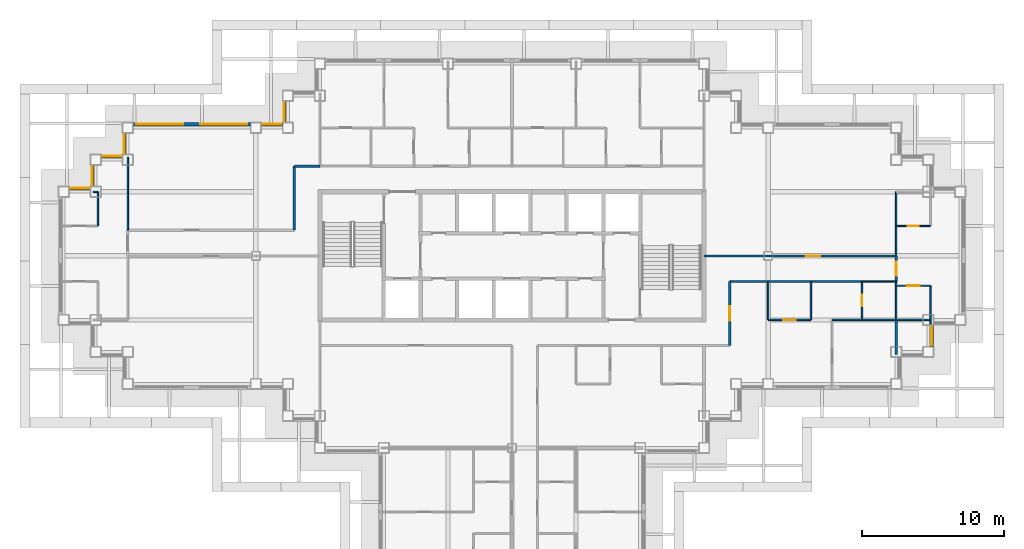
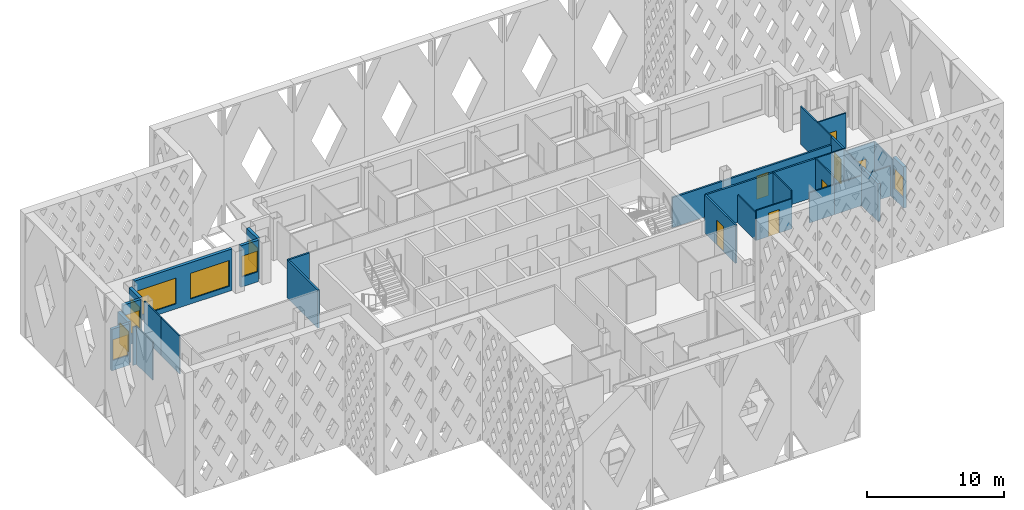
# One storey, part 7 of 18: 32 walls, 9 windows, 7 doors, 16 openings.
"""IFC4 building model written with IfcOpenShell, lengths in metres."""

from ifc_helpers import new_model, si_unit, direction, frame, frame_2d, origin, place, context, subcontext, project, spatial, rectangle, extrude, material, layer, layer_set, type_object, element, fill, save


model = new_model("IFC4")

# Units and contexts
model_context = context("Model", 3, precision=1e-05, world=origin(), true_north=direction((0.0, 1.0)))
body_context = subcontext(model_context, "Body", "Model", "MODEL_VIEW")
ifc_project = project(units=[si_unit("LENGTHUNIT", "METRE"), si_unit("AREAUNIT", "SQUARE_METRE"), si_unit("VOLUMEUNIT", "CUBIC_METRE"), si_unit("PLANEANGLEUNIT", "RADIAN"), si_unit("MASSUNIT", "GRAM", prefix="KILO")], contexts=[model_context])

# Site, building, storey
site_placement = place(None, origin())
site = spatial("IfcSite", under=ifc_project, at=site_placement, CompositionType="ELEMENT")
building_placement = place(site_placement, origin())
building = spatial("IfcBuilding", under=site, at=building_placement, Name="Caravel Reach Hotel and Residences", CompositionType="ELEMENT")
storey_placement = place(building_placement, frame((0.0, 0.0, 176.5)))
storey = spatial("IfcBuildingStorey", under=building, at=storey_placement, Name="L44", CompositionType="ELEMENT", Elevation=176.5)

# Walls
ifc_material_1 = material(Name="Gypsum board on steel stud", Category="steel")
ifc_layer_1 = layer(ifc_material_1, 0.10009765625)
ifc_layer_set_1 = layer_set([ifc_layer_1], Name="Bathroom pod wall 100 mm")
wall_type_1 = type_object("IfcWallType", Name="Bathroom pod wall 100 mm", PredefinedType="PARTITIONING", material=ifc_layer_set_1)
wall_1_placement = place(storey_placement, frame((56.10009765625, 22.5, 0.0), z_axis=(0.0, 0.0, 1.0), x_axis=(1.0, 0.0, 0.0)))
element("IfcWall", 1, at=wall_1_placement, inside=storey, type_object=wall_type_1, Name="L44 wall w094", PredefinedType="PARTITIONING", context=body_context, shape_type="SweptSolid", body=[
    extrude(rectangle(XDim=2.39990234375, YDim=0.10009765625, at=frame_2d((1.199951171875, 0.0))), origin(), (0.0, 0.0, 1.0), 2.679931640625),
])
wall_2_placement = place(storey_placement, frame((56.10009765625, 25.199951171875, 0.0), z_axis=(0.0, 0.0, 1.0), x_axis=(1.0, 0.0, 0.0)))
element("IfcWall", 2, at=wall_2_placement, inside=storey, type_object=wall_type_1, Name="L44 wall w095", PredefinedType="PARTITIONING", context=body_context, shape_type="SweptSolid", body=[
    extrude(rectangle(XDim=2.39990234375, YDim=0.10009765625, at=frame_2d((1.199951171875, 0.0))), origin(), (0.0, 0.0, 1.0), 3.39990234375),
])

# Wall, opening, door
wall_3_placement = place(storey_placement, frame((58.5, 29.10009765625, 0.0), z_axis=(0.0, 0.0, 1.0), x_axis=(1.0, 0.0, 0.0)))
wall_3 = element("IfcWall", 3, at=wall_3_placement, inside=storey, type_object=wall_type_1, Name="L44 wall w097", PredefinedType="PARTITIONING", context=body_context, shape_type="SweptSolid", body=[
    extrude(rectangle(XDim=2.39990234375, YDim=0.10009765625, at=frame_2d((1.199951171875, 0.0))), origin(), (0.0, 0.0, 1.0), 3.39990234375),
])
opening_1_placement = place(wall_3_placement, frame((0.800048828125, 0.0, 0.0)))
opening_1 = element("IfcOpeningElement", 4, at=opening_1_placement, cuts=wall_3, Name="Opening D44-052", PredefinedType="OPENING", context=body_context, shape_type="SweptSolid", body=[
    extrude(rectangle(XDim=0.800048828125, YDim=2.10009765625, at=frame_2d((0.39990234375, 1.050048828125))), frame((0.0, 0.06005859375, 0.0), z_axis=(0.0, -1.0, 0.0), x_axis=(1.0, 0.0, 0.0)), (0.0, 0.0, 1.0), 0.1201171875),
])
ifc_material_2 = material(Name="Timber and steel door leaf", Category="steel")
door_type_1 = type_object("IfcDoorType", Name="Bathroom door 800 x 2100", OperationType="SINGLE_SWING_LEFT", PredefinedType="DOOR", material=ifc_material_2)
door_1_placement = place(opening_1_placement, origin())
door_1 = element("IfcDoor", 5, at=door_1_placement, inside=storey, type_object=door_type_1, Name="door D44-052", OperationType="SINGLE_SWING_RIGHT", OverallHeight=2.10009765625, OverallWidth=0.800048828125, PredefinedType="DOOR", context=body_context, shape_type="SweptSolid", body=[
    extrude(rectangle(XDim=0.800048828125, YDim=2.10009765625, at=frame_2d((0.39990234375, 1.050048828125))), frame((0.0, 0.02490234375, 0.0), z_axis=(0.0, -1.0, 0.0), x_axis=(1.0, 0.0, 0.0)), (0.0, 0.0, 1.0), 0.050048828125),
])
fill(opening_1, door_1)

wall_4_placement = place(storey_placement, frame((56.10009765625, 22.5, 0.0), z_axis=(0.0, 0.0, 1.0), x_axis=(0.0, 1.0, 0.0)))
wall_4 = element("IfcWall", 6, at=wall_4_placement, inside=storey, type_object=wall_type_1, Name="L44 wall w122", PredefinedType="PARTITIONING", context=body_context, shape_type="SweptSolid", body=[
    extrude(rectangle(XDim=2.699951171875, YDim=0.10009765625, at=frame_2d((1.35009765625, 0.0))), origin(), (0.0, 0.0, 1.0), 3.39990234375),
])
opening_2_placement = place(wall_4_placement, frame((0.949951171875, 0.0, 0.0)))
opening_2 = element("IfcOpeningElement", 7, at=opening_2_placement, cuts=wall_4, Name="Opening D44-034", PredefinedType="OPENING", context=body_context, shape_type="SweptSolid", body=[
    extrude(rectangle(XDim=0.800048828125, YDim=2.10009765625, at=frame_2d((0.39990234375, 1.050048828125))), frame((0.0, 0.06005859375, 0.0), z_axis=(0.0, -1.0, 0.0), x_axis=(1.0, 0.0, 0.0)), (0.0, 0.0, 1.0), 0.1201171875),
])
door_2_placement = place(opening_2_placement, origin())
door_2 = element("IfcDoor", 8, at=door_2_placement, inside=storey, type_object=door_type_1, Name="door D44-034", OperationType="SINGLE_SWING_LEFT", OverallHeight=2.10009765625, OverallWidth=0.800048828125, PredefinedType="DOOR", context=body_context, shape_type="SweptSolid", body=[
    extrude(rectangle(XDim=0.800048828125, YDim=2.10009765625, at=frame_2d((0.39990234375, 1.050048828125))), frame((0.0, 0.02490234375, 0.0), z_axis=(0.0, -1.0, 0.0), x_axis=(1.0, 0.0, 0.0)), (0.0, 0.0, 1.0), 0.050048828125),
])
fill(opening_2, door_2)

# Walls
wall_5_placement = place(storey_placement, frame((58.5, 22.5, 0.0), z_axis=(0.0, 0.0, 1.0), x_axis=(0.0, 1.0, 0.0)))
element("IfcWall", 9, at=wall_5_placement, inside=storey, type_object=wall_type_1, Name="L44 wall w123", PredefinedType="PARTITIONING", context=body_context, shape_type="SweptSolid", body=[
    extrude(rectangle(XDim=2.699951171875, YDim=0.10009765625, at=frame_2d((1.35009765625, 0.0))), origin(), (0.0, 0.0, 1.0), 3.39990234375),
])
ifc_material_3 = material(Name="Gypsum board on steel stud, fire-rated", Category="steel")
ifc_layer_2 = layer(ifc_material_3, 0.14990234375)
ifc_layer_set_2 = layer_set([ifc_layer_2], Name="Corridor wall 150 mm EI 60")
wall_type_2 = type_object("IfcWallType", Name="Corridor wall 150 mm EI 60", PredefinedType="PARTITIONING", material=ifc_layer_set_2)
wall_6_placement = place(storey_placement, frame((46.801025390625, 25.199951171875, 0.0), z_axis=(0.0, 0.0, 1.0), x_axis=(1.0, 0.0, 0.0)))
element("IfcWall", 10, at=wall_6_placement, inside=storey, type_object=wall_type_2, Name="L44 wall w006", PredefinedType="PARTITIONING", context=body_context, shape_type="SweptSolid", body=[
    extrude(rectangle(XDim=9.299072265625, YDim=0.14990234375, at=frame_2d((4.6494140625, 0.0))), origin(), (0.0, 0.0, 1.0), 3.39990234375),
])

# Wall, opening, door
wall_7_placement = place(storey_placement, frame((45.0, 27.0, 0.0), z_axis=(0.0, 0.0, 1.0), x_axis=(1.0, 0.0, 0.0)))
wall_7 = element("IfcWall", 11, at=wall_7_placement, inside=storey, type_object=wall_type_2, Name="L44 wall w010", PredefinedType="PARTITIONING", context=body_context, shape_type="SweptSolid", body=[
    extrude(rectangle(XDim=13.5, YDim=0.14990234375, at=frame_2d((6.75, 0.0))), origin(), (0.0, 0.0, 1.0), 2.679931640625),
])
opening_3_placement = place(wall_7_placement, frame((7.14990234375, 0.0, 0.0)))
opening_3 = element("IfcOpeningElement", 12, at=opening_3_placement, cuts=wall_7, Name="Opening D44-031", PredefinedType="OPENING", context=body_context, shape_type="SweptSolid", body=[
    extrude(rectangle(XDim=1.0, YDim=2.10009765625, at=frame_2d((0.5, 1.050048828125))), frame((0.0, 0.0849609375, 0.0), z_axis=(0.0, -1.0, 0.0), x_axis=(1.0, 0.0, 0.0)), (0.0, 0.0, 1.0), 0.169921875),
])
ifc_material_4 = material(Name="Steel fire door leaf", Category="steel")
door_type_2 = type_object("IfcDoorType", Name="Fire door 1000 x 2100 EI 60", OperationType="SINGLE_SWING_LEFT", PredefinedType="DOOR", material=ifc_material_4)
door_3_placement = place(opening_3_placement, origin())
door_3 = element("IfcDoor", 13, at=door_3_placement, inside=storey, type_object=door_type_2, Name="door D44-031", OperationType="SINGLE_SWING_RIGHT", OverallHeight=2.10009765625, OverallWidth=1.0, PredefinedType="DOOR", context=body_context, shape_type="SweptSolid", body=[
    extrude(rectangle(XDim=1.0, YDim=2.10009765625, at=frame_2d((0.5, 1.050048828125))), frame((0.0, 0.02490234375, 0.0), z_axis=(0.0, -1.0, 0.0), x_axis=(1.0, 0.0, 0.0)), (0.0, 0.0, 1.0), 0.050048828125),
])
fill(opening_3, door_3)

# Walls
wall_8_placement = place(storey_placement, frame((16.199951171875, 33.300048828125, 0.0), z_axis=(0.0, 0.0, 1.0), x_axis=(1.0, 0.0, 0.0)))
element("IfcWall", 14, at=wall_8_placement, inside=storey, type_object=wall_type_2, Name="L44 wall w017", PredefinedType="PARTITIONING", context=body_context, shape_type="SweptSolid", body=[
    extrude(rectangle(XDim=1.799072265625, YDim=0.14990234375, at=frame_2d((0.8994140625, 0.0))), origin(), (0.0, 0.0, 1.0), 3.39990234375),
])
wall_9_placement = place(storey_placement, frame((16.199951171875, 28.801025390625, 0.0), z_axis=(0.0, 0.0, 1.0), x_axis=(0.0, 1.0, 0.0)))
element("IfcWall", 15, at=wall_9_placement, inside=storey, type_object=wall_type_2, Name="L44 wall w019", PredefinedType="PARTITIONING", context=body_context, shape_type="SweptSolid", body=[
    extrude(rectangle(XDim=4.4990234375, YDim=0.14990234375, at=frame_2d((2.24951171875, 0.0))), origin(), (0.0, 0.0, 1.0), 3.39990234375),
])

# Wall, opening, door
wall_10_placement = place(storey_placement, frame((46.800048828125, 20.699951171875, 0.0), z_axis=(0.0, 0.0, 1.0), x_axis=(0.0, 1.0, 0.0)))
wall_10 = element("IfcWall", 16, at=wall_10_placement, inside=storey, type_object=wall_type_2, Name="L44 wall w029", PredefinedType="PARTITIONING", context=body_context, shape_type="SweptSolid", body=[
    extrude(rectangle(XDim=4.4990234375, YDim=0.14990234375, at=frame_2d((2.24951171875, 0.0))), origin(), (0.0, 0.0, 1.0), 3.39990234375),
])
opening_4_placement = place(wall_10_placement, frame((1.74951171875, 0.0, 0.0)))
opening_4 = element("IfcOpeningElement", 17, at=opening_4_placement, cuts=wall_10, Name="Opening D44-032", PredefinedType="OPENING", context=body_context, shape_type="SweptSolid", body=[
    extrude(rectangle(XDim=1.0, YDim=2.199951171875, at=frame_2d((0.5, 1.10009765625))), frame((0.0, 0.0849609375, 0.0), z_axis=(0.0, -1.0, 0.0), x_axis=(1.0, 0.0, 0.0)), (0.0, 0.0, 1.0), 0.169921875),
])
ifc_material_5 = material(Name="Steel fire door leaf", Category="steel")
door_type_3 = type_object("IfcDoorType", Name="Flat entrance door 1000 x 2200 EI 60", OperationType="SINGLE_SWING_LEFT", PredefinedType="DOOR", material=ifc_material_5)
door_4_placement = place(opening_4_placement, origin())
door_4 = element("IfcDoor", 18, at=door_4_placement, inside=storey, type_object=door_type_3, Name="door D44-032", OperationType="SINGLE_SWING_LEFT", OverallHeight=2.199951171875, OverallWidth=1.0, PredefinedType="DOOR", context=body_context, shape_type="SweptSolid", body=[
    extrude(rectangle(XDim=1.0, YDim=2.199951171875, at=frame_2d((0.5, 1.10009765625))), frame((0.0, 0.02490234375, 0.0), z_axis=(0.0, -1.0, 0.0), x_axis=(1.0, 0.0, 0.0)), (0.0, 0.0, 1.0), 0.050048828125),
])
fill(opening_4, door_4)

wall_11_placement = place(storey_placement, frame((58.5, 25.199951171875, 0.0), z_axis=(0.0, 0.0, 1.0), x_axis=(0.0, 1.0, 0.0)))
wall_11 = element("IfcWall", 19, at=wall_11_placement, inside=storey, type_object=wall_type_2, Name="L44 wall w030", PredefinedType="PARTITIONING", context=body_context, shape_type="SweptSolid", body=[
    extrude(rectangle(XDim=1.800048828125, YDim=0.14990234375, at=frame_2d((0.89990234375, 0.0))), origin(), (0.0, 0.0, 1.0), 3.39990234375),
])
opening_5_placement = place(wall_11_placement, frame((0.39990234375, 0.0, 0.0)))
opening_5 = element("IfcOpeningElement", 20, at=opening_5_placement, cuts=wall_11, Name="Opening D44-051", PredefinedType="OPENING", context=body_context, shape_type="SweptSolid", body=[
    extrude(rectangle(XDim=1.0, YDim=2.199951171875, at=frame_2d((0.5, 1.10009765625))), frame((0.0, 0.0849609375, 0.0), z_axis=(0.0, -1.0, 0.0), x_axis=(1.0, 0.0, 0.0)), (0.0, 0.0, 1.0), 0.169921875),
])
door_5_placement = place(opening_5_placement, origin())
door_5 = element("IfcDoor", 21, at=door_5_placement, inside=storey, type_object=door_type_3, Name="door D44-051", OperationType="SINGLE_SWING_RIGHT", OverallHeight=2.199951171875, OverallWidth=1.0, PredefinedType="DOOR", context=body_context, shape_type="SweptSolid", body=[
    extrude(rectangle(XDim=1.0, YDim=2.199951171875, at=frame_2d((0.5, 1.10009765625))), frame((0.0, 0.02490234375, 0.0), z_axis=(0.0, -1.0, 0.0), x_axis=(1.0, 0.0, 0.0)), (0.0, 0.0, 1.0), 0.050048828125),
])
fill(opening_5, door_5)

# Wall, opening, window
ifc_material_6 = material(Name="Insulated rainscreen wall, aluminium cladding", Category="aluminium")
ifc_layer_3 = layer(ifc_material_6, 0.25)
ifc_layer_set_3 = layer_set([ifc_layer_3], Name="EW1 Tower rainscreen wall")
wall_type_3 = type_object("IfcWallType", Name="EW1 Tower rainscreen wall", PredefinedType="SOLIDWALL", material=ifc_layer_set_3)
wall_12_placement = place(storey_placement, frame((61.0, 20.625, 0.0), z_axis=(0.0, 0.0, 1.0), x_axis=(0.0, 1.0, 0.0)))
wall_12 = element("IfcWall", 22, at=wall_12_placement, inside=storey, type_object=wall_type_3, Name="External wall L44 E18.1", PredefinedType="SOLIDWALL", context=body_context, shape_type="SweptSolid", body=[
    extrude(rectangle(XDim=1.5, YDim=0.25, at=frame_2d((0.75, 0.0))), origin(), (0.0, 0.0, 1.0), 3.699951171875),
])
opening_6_placement = place(wall_12_placement, frame((0.10009765625, 0.0, 0.89990234375)))
opening_6 = element("IfcOpeningElement", 23, at=opening_6_placement, cuts=wall_12, Name="Opening WN16", PredefinedType="OPENING", context=body_context, shape_type="SweptSolid", body=[
    extrude(rectangle(XDim=1.300048828125, YDim=1.85009765625, at=frame_2d((0.64990234375, 0.925048828125))), frame((0.0, 0.135009765625, 0.0), z_axis=(0.0, -1.0, 0.0), x_axis=(1.0, 0.0, 0.0)), (0.0, 0.0, 1.0), 0.27001953125),
])
ifc_material_7 = material(Name="Dark low-e glazing in black aluminium frame", Category="aluminium")
window_type_1 = type_object("IfcWindowType", Name="Residence bedroom window 1300 x 1850", PartitioningType="SINGLE_PANEL", PredefinedType="WINDOW", material=ifc_material_7)
window_1_placement = place(opening_6_placement, origin())
window_1 = element("IfcWindow", 24, at=window_1_placement, inside=storey, type_object=window_type_1, Name="Window L44 E18.1.1", OverallHeight=1.85009765625, OverallWidth=1.300048828125, PartitioningType="SINGLE_PANEL", PredefinedType="WINDOW", context=body_context, shape_type="SweptSolid", body=[
    extrude(rectangle(XDim=1.300048828125, YDim=1.85009765625, at=frame_2d((0.64990234375, 0.925048828125))), frame((0.0, 0.030029296875, 0.0), z_axis=(0.0, -1.0, 0.0), x_axis=(1.0, 0.0, 0.0)), (0.0, 0.0, 1.0), 0.06005859375),
])
fill(opening_6, window_1)

wall_13_placement = place(storey_placement, frame((15.5, 37.875, 0.0), z_axis=(0.0, 0.0, 1.0), x_axis=(0.0, -1.0, 0.0)))
wall_13 = element("IfcWall", 25, at=wall_13_placement, inside=storey, type_object=wall_type_3, Name="External wall L44 W32.1", PredefinedType="SOLIDWALL", context=body_context, shape_type="SweptSolid", body=[
    extrude(rectangle(XDim=1.5, YDim=0.25, at=frame_2d((0.75, 0.0))), origin(), (0.0, 0.0, 1.0), 3.699951171875),
])
opening_7_placement = place(wall_13_placement, frame((0.10009765625, 0.0, 0.89990234375)))
opening_7 = element("IfcOpeningElement", 26, at=opening_7_placement, cuts=wall_13, Name="Opening WN16", PredefinedType="OPENING", context=body_context, shape_type="SweptSolid", body=[
    extrude(rectangle(XDim=1.300048828125, YDim=1.85009765625, at=frame_2d((0.64990234375, 0.925048828125))), frame((0.0, 0.135009765625, 0.0), z_axis=(0.0, -1.0, 0.0), x_axis=(1.0, 0.0, 0.0)), (0.0, 0.0, 1.0), 0.27001953125),
])
window_2_placement = place(opening_7_placement, origin())
window_2 = element("IfcWindow", 27, at=window_2_placement, inside=storey, type_object=window_type_1, Name="Window L44 W32.1.1", OverallHeight=1.85009765625, OverallWidth=1.300048828125, PartitioningType="SINGLE_PANEL", PredefinedType="WINDOW", context=body_context, shape_type="SweptSolid", body=[
    extrude(rectangle(XDim=1.300048828125, YDim=1.85009765625, at=frame_2d((0.64990234375, 0.925048828125))), frame((0.0, 0.030029296875, 0.0), z_axis=(0.0, -1.0, 0.0), x_axis=(1.0, 0.0, 0.0)), (0.0, 0.0, 1.0), 0.06005859375),
])
fill(opening_7, window_2)

wall_14_placement = place(storey_placement, frame((15.375, 36.25, 0.0), z_axis=(0.0, 0.0, 1.0), x_axis=(-1.0, 0.0, 0.0)))
wall_14 = element("IfcWall", 28, at=wall_14_placement, inside=storey, type_object=wall_type_3, Name="External wall L44 N33.1", PredefinedType="SOLIDWALL", context=body_context, shape_type="SweptSolid", body=[
    extrude(rectangle(XDim=1.5, YDim=0.25, at=frame_2d((0.75, 0.0))), origin(), (0.0, 0.0, 1.0), 3.699951171875),
])
opening_8_placement = place(wall_14_placement, frame((0.10009765625, 0.0, 0.89990234375)))
opening_8 = element("IfcOpeningElement", 29, at=opening_8_placement, cuts=wall_14, Name="Opening WN16", PredefinedType="OPENING", context=body_context, shape_type="SweptSolid", body=[
    extrude(rectangle(XDim=1.300048828125, YDim=1.85009765625, at=frame_2d((0.64990234375, 0.925048828125))), frame((0.0, 0.135009765625, 0.0), z_axis=(0.0, -1.0, 0.0), x_axis=(1.0, 0.0, 0.0)), (0.0, 0.0, 1.0), 0.27001953125),
])
window_3_placement = place(opening_8_placement, origin())
window_3 = element("IfcWindow", 30, at=window_3_placement, inside=storey, type_object=window_type_1, Name="Window L44 N33.1.1", OverallHeight=1.85009765625, OverallWidth=1.300048828125, PartitioningType="SINGLE_PANEL", PredefinedType="WINDOW", context=body_context, shape_type="SweptSolid", body=[
    extrude(rectangle(XDim=1.300048828125, YDim=1.85009765625, at=frame_2d((0.64990234375, 0.925048828125))), frame((0.0, 0.030029296875, 0.0), z_axis=(0.0, -1.0, 0.0), x_axis=(1.0, 0.0, 0.0)), (0.0, 0.0, 1.0), 0.06005859375),
])
fill(opening_8, window_3)

# Wall, openings, windows
wall_15_placement = place(storey_placement, frame((13.125, 36.25, 0.0), z_axis=(0.0, 0.0, 1.0), x_axis=(-1.0, 0.0, 0.0)))
wall_15 = element("IfcWall", 31, at=wall_15_placement, inside=storey, type_object=wall_type_3, Name="External wall L44 N33.2", PredefinedType="SOLIDWALL", context=body_context, shape_type="SweptSolid", body=[
    extrude(rectangle(XDim=8.25, YDim=0.25, at=frame_2d((4.125, 0.0))), origin(), (0.0, 0.0, 1.0), 3.699951171875),
])
opening_9_placement = place(wall_15_placement, frame((0.22509765625, 0.0, 0.449951171875)))
opening_9 = element("IfcOpeningElement", 32, at=opening_9_placement, cuts=wall_15, Name="Opening WN15", PredefinedType="OPENING", context=body_context, shape_type="SweptSolid", body=[
    extrude(rectangle(XDim=3.300048828125, YDim=2.300048828125, at=frame_2d((1.64990234375, 1.14990234375))), frame((0.0, 0.135009765625, 0.0), z_axis=(0.0, -1.0, 0.0), x_axis=(1.0, 0.0, 0.0)), (0.0, 0.0, 1.0), 0.27001953125),
])
opening_10_placement = place(wall_15_placement, frame((4.72509765625, 0.0, 0.449951171875)))
opening_10 = element("IfcOpeningElement", 33, at=opening_10_placement, cuts=wall_15, Name="Opening WN15", PredefinedType="OPENING", context=body_context, shape_type="SweptSolid", body=[
    extrude(rectangle(XDim=3.300048828125, YDim=2.300048828125, at=frame_2d((1.64990234375, 1.14990234375))), frame((0.0, 0.135009765625, 0.0), z_axis=(0.0, -1.0, 0.0), x_axis=(1.0, 0.0, 0.0)), (0.0, 0.0, 1.0), 0.27001953125),
])
ifc_material_8 = material(Name="Dark low-e glazing in black aluminium frame", Category="aluminium")
window_type_2 = type_object("IfcWindowType", Name="Residence living window 3300 x 2300", PartitioningType="SINGLE_PANEL", PredefinedType="WINDOW", material=ifc_material_8)
window_4_placement = place(opening_9_placement, origin())
window_4 = element("IfcWindow", 34, at=window_4_placement, inside=storey, type_object=window_type_2, Name="Window L44 N33.2.1", OverallHeight=2.300048828125, OverallWidth=3.300048828125, PartitioningType="SINGLE_PANEL", PredefinedType="WINDOW", context=body_context, shape_type="SweptSolid", body=[
    extrude(rectangle(XDim=3.300048828125, YDim=2.300048828125, at=frame_2d((1.64990234375, 1.14990234375))), frame((0.0, 0.030029296875, 0.0), z_axis=(0.0, -1.0, 0.0), x_axis=(1.0, 0.0, 0.0)), (0.0, 0.0, 1.0), 0.06005859375),
])
fill(opening_9, window_4)
window_5_placement = place(opening_10_placement, origin())
window_5 = element("IfcWindow", 35, at=window_5_placement, inside=storey, type_object=window_type_2, Name="Window L44 N33.2.2", OverallHeight=2.300048828125, OverallWidth=3.300048828125, PartitioningType="SINGLE_PANEL", PredefinedType="WINDOW", context=body_context, shape_type="SweptSolid", body=[
    extrude(rectangle(XDim=3.300048828125, YDim=2.300048828125, at=frame_2d((1.64990234375, 1.14990234375))), frame((0.0, 0.030029296875, 0.0), z_axis=(0.0, -1.0, 0.0), x_axis=(1.0, 0.0, 0.0)), (0.0, 0.0, 1.0), 0.06005859375),
])
fill(opening_10, window_5)

# Wall, opening, window
wall_16_placement = place(storey_placement, frame((4.25, 35.625, 0.0), z_axis=(0.0, 0.0, 1.0), x_axis=(0.0, -1.0, 0.0)))
wall_16 = element("IfcWall", 36, at=wall_16_placement, inside=storey, type_object=wall_type_3, Name="External wall L44 W34.1", PredefinedType="SOLIDWALL", context=body_context, shape_type="SweptSolid", body=[
    extrude(rectangle(XDim=1.5, YDim=0.25, at=frame_2d((0.75, 0.0))), origin(), (0.0, 0.0, 1.0), 3.699951171875),
])
opening_11_placement = place(wall_16_placement, frame((0.10009765625, 0.0, 0.89990234375)))
opening_11 = element("IfcOpeningElement", 37, at=opening_11_placement, cuts=wall_16, Name="Opening WN16", PredefinedType="OPENING", context=body_context, shape_type="SweptSolid", body=[
    extrude(rectangle(XDim=1.300048828125, YDim=1.85009765625, at=frame_2d((0.64990234375, 0.925048828125))), frame((0.0, 0.135009765625, 0.0), z_axis=(0.0, -1.0, 0.0), x_axis=(1.0, 0.0, 0.0)), (0.0, 0.0, 1.0), 0.27001953125),
])
window_6_placement = place(opening_11_placement, origin())
window_6 = element("IfcWindow", 38, at=window_6_placement, inside=storey, type_object=window_type_1, Name="Window L44 W34.1.1", OverallHeight=1.85009765625, OverallWidth=1.300048828125, PartitioningType="SINGLE_PANEL", PredefinedType="WINDOW", context=body_context, shape_type="SweptSolid", body=[
    extrude(rectangle(XDim=1.300048828125, YDim=1.85009765625, at=frame_2d((0.64990234375, 0.925048828125))), frame((0.0, 0.030029296875, 0.0), z_axis=(0.0, -1.0, 0.0), x_axis=(1.0, 0.0, 0.0)), (0.0, 0.0, 1.0), 0.06005859375),
])
fill(opening_11, window_6)

wall_17_placement = place(storey_placement, frame((4.125, 34.0, 0.0), z_axis=(0.0, 0.0, 1.0), x_axis=(-1.0, 0.0, 0.0)))
wall_17 = element("IfcWall", 39, at=wall_17_placement, inside=storey, type_object=wall_type_3, Name="External wall L44 N35.1", PredefinedType="SOLIDWALL", context=body_context, shape_type="SweptSolid", body=[
    extrude(rectangle(XDim=1.5, YDim=0.25, at=frame_2d((0.75, 0.0))), origin(), (0.0, 0.0, 1.0), 3.699951171875),
])
opening_12_placement = place(wall_17_placement, frame((0.10009765625, 0.0, 0.89990234375)))
opening_12 = element("IfcOpeningElement", 40, at=opening_12_placement, cuts=wall_17, Name="Opening WN16", PredefinedType="OPENING", context=body_context, shape_type="SweptSolid", body=[
    extrude(rectangle(XDim=1.300048828125, YDim=1.85009765625, at=frame_2d((0.64990234375, 0.925048828125))), frame((0.0, 0.135009765625, 0.0), z_axis=(0.0, -1.0, 0.0), x_axis=(1.0, 0.0, 0.0)), (0.0, 0.0, 1.0), 0.27001953125),
])
window_7_placement = place(opening_12_placement, origin())
window_7 = element("IfcWindow", 41, at=window_7_placement, inside=storey, type_object=window_type_1, Name="Window L44 N35.1.1", OverallHeight=1.85009765625, OverallWidth=1.300048828125, PartitioningType="SINGLE_PANEL", PredefinedType="WINDOW", context=body_context, shape_type="SweptSolid", body=[
    extrude(rectangle(XDim=1.300048828125, YDim=1.85009765625, at=frame_2d((0.64990234375, 0.925048828125))), frame((0.0, 0.030029296875, 0.0), z_axis=(0.0, -1.0, 0.0), x_axis=(1.0, 0.0, 0.0)), (0.0, 0.0, 1.0), 0.06005859375),
])
fill(opening_12, window_7)

wall_18_placement = place(storey_placement, frame((2.0, 33.375, 0.0), z_axis=(0.0, 0.0, 1.0), x_axis=(0.0, -1.0, 0.0)))
wall_18 = element("IfcWall", 42, at=wall_18_placement, inside=storey, type_object=wall_type_3, Name="External wall L44 W36.1", PredefinedType="SOLIDWALL", context=body_context, shape_type="SweptSolid", body=[
    extrude(rectangle(XDim=1.5, YDim=0.25, at=frame_2d((0.75, 0.0))), origin(), (0.0, 0.0, 1.0), 3.699951171875),
])
opening_13_placement = place(wall_18_placement, frame((0.10009765625, 0.0, 0.89990234375)))
opening_13 = element("IfcOpeningElement", 43, at=opening_13_placement, cuts=wall_18, Name="Opening WN16", PredefinedType="OPENING", context=body_context, shape_type="SweptSolid", body=[
    extrude(rectangle(XDim=1.300048828125, YDim=1.85009765625, at=frame_2d((0.64990234375, 0.925048828125))), frame((0.0, 0.135009765625, 0.0), z_axis=(0.0, -1.0, 0.0), x_axis=(1.0, 0.0, 0.0)), (0.0, 0.0, 1.0), 0.27001953125),
])
window_8_placement = place(opening_13_placement, origin())
window_8 = element("IfcWindow", 44, at=window_8_placement, inside=storey, type_object=window_type_1, Name="Window L44 W36.1.1", OverallHeight=1.85009765625, OverallWidth=1.300048828125, PartitioningType="SINGLE_PANEL", PredefinedType="WINDOW", context=body_context, shape_type="SweptSolid", body=[
    extrude(rectangle(XDim=1.300048828125, YDim=1.85009765625, at=frame_2d((0.64990234375, 0.925048828125))), frame((0.0, 0.030029296875, 0.0), z_axis=(0.0, -1.0, 0.0), x_axis=(1.0, 0.0, 0.0)), (0.0, 0.0, 1.0), 0.06005859375),
])
fill(opening_13, window_8)

wall_19_placement = place(storey_placement, frame((1.875, 31.75, 0.0), z_axis=(0.0, 0.0, 1.0), x_axis=(-1.0, 0.0, 0.0)))
wall_19 = element("IfcWall", 45, at=wall_19_placement, inside=storey, type_object=wall_type_3, Name="External wall L44 N37.1", PredefinedType="SOLIDWALL", context=body_context, shape_type="SweptSolid", body=[
    extrude(rectangle(XDim=1.5, YDim=0.25, at=frame_2d((0.75, 0.0))), origin(), (0.0, 0.0, 1.0), 3.699951171875),
])
opening_14_placement = place(wall_19_placement, frame((0.10009765625, 0.0, 0.89990234375)))
opening_14 = element("IfcOpeningElement", 46, at=opening_14_placement, cuts=wall_19, Name="Opening WN16", PredefinedType="OPENING", context=body_context, shape_type="SweptSolid", body=[
    extrude(rectangle(XDim=1.300048828125, YDim=1.85009765625, at=frame_2d((0.64990234375, 0.925048828125))), frame((0.0, 0.135009765625, 0.0), z_axis=(0.0, -1.0, 0.0), x_axis=(1.0, 0.0, 0.0)), (0.0, 0.0, 1.0), 0.27001953125),
])
window_9_placement = place(opening_14_placement, origin())
window_9 = element("IfcWindow", 47, at=window_9_placement, inside=storey, type_object=window_type_1, Name="Window L44 N37.1.1", OverallHeight=1.85009765625, OverallWidth=1.300048828125, PartitioningType="SINGLE_PANEL", PredefinedType="WINDOW", context=body_context, shape_type="SweptSolid", body=[
    extrude(rectangle(XDim=1.300048828125, YDim=1.85009765625, at=frame_2d((0.64990234375, 0.925048828125))), frame((0.0, 0.030029296875, 0.0), z_axis=(0.0, -1.0, 0.0), x_axis=(1.0, 0.0, 0.0)), (0.0, 0.0, 1.0), 0.06005859375),
])
fill(opening_14, window_9)

# Wall
ifc_material_9 = material(Name="Gypsum board on steel stud", Category="steel")
ifc_layer_4 = layer(ifc_material_9, 0.10009765625)
ifc_layer_set_4 = layer_set([ifc_layer_4], Name="Partition 100 mm")
wall_type_4 = type_object("IfcWallType", Name="Partition 100 mm", PredefinedType="PARTITIONING", material=ifc_layer_set_4)
wall_20_placement = place(storey_placement, frame((54.0, 22.5, 0.0), z_axis=(0.0, 0.0, 1.0), x_axis=(1.0, 0.0, 0.0)))
element("IfcWall", 48, at=wall_20_placement, inside=storey, type_object=wall_type_4, Name="L44 wall w034", PredefinedType="PARTITIONING", context=body_context, shape_type="SweptSolid", body=[
    extrude(rectangle(XDim=2.10009765625, YDim=0.10009765625, at=frame_2d((1.050048828125, 0.0))), origin(), (0.0, 0.0, 1.0), 2.679931640625),
])

# Wall, opening, door
wall_21_placement = place(storey_placement, frame((49.5, 22.5, 0.0), z_axis=(0.0, 0.0, 1.0), x_axis=(1.0, 0.0, 0.0)))
wall_21 = element("IfcWall", 49, at=wall_21_placement, inside=storey, type_object=wall_type_4, Name="L44 wall w035", PredefinedType="PARTITIONING", context=body_context, shape_type="SweptSolid", body=[
    extrude(rectangle(XDim=3.0, YDim=0.10009765625, at=frame_2d((1.5, 0.0))), origin(), (0.0, 0.0, 1.0), 2.679931640625),
])
opening_15_placement = place(wall_21_placement, frame((1.050048828125, 0.0, 0.0)))
opening_15 = element("IfcOpeningElement", 50, at=opening_15_placement, cuts=wall_21, Name="Opening D44-033", PredefinedType="OPENING", context=body_context, shape_type="SweptSolid", body=[
    extrude(rectangle(XDim=0.89990234375, YDim=2.10009765625, at=frame_2d((0.449951171875, 1.050048828125))), frame((0.0, 0.06005859375, 0.0), z_axis=(0.0, -1.0, 0.0), x_axis=(1.0, 0.0, 0.0)), (0.0, 0.0, 1.0), 0.1201171875),
])
ifc_material_10 = material(Name="Timber and steel door leaf", Category="steel")
door_type_4 = type_object("IfcDoorType", Name="Door 900 x 2100 timber", OperationType="SINGLE_SWING_LEFT", PredefinedType="DOOR", material=ifc_material_10)
door_6_placement = place(opening_15_placement, origin())
door_6 = element("IfcDoor", 51, at=door_6_placement, inside=storey, type_object=door_type_4, Name="door D44-033", OperationType="SINGLE_SWING_LEFT", OverallHeight=2.10009765625, OverallWidth=0.89990234375, PredefinedType="DOOR", context=body_context, shape_type="SweptSolid", body=[
    extrude(rectangle(XDim=0.89990234375, YDim=2.10009765625, at=frame_2d((0.449951171875, 1.050048828125))), frame((0.0, 0.02490234375, 0.0), z_axis=(0.0, -1.0, 0.0), x_axis=(1.0, 0.0, 0.0)), (0.0, 0.0, 1.0), 0.050048828125),
])
fill(opening_15, door_6)

# Wall
wall_22_placement = place(storey_placement, frame((58.5009765625, 22.5, 0.0), z_axis=(0.0, 0.0, 1.0), x_axis=(1.0, 0.0, 0.0)))
element("IfcWall", 52, at=wall_22_placement, inside=storey, type_object=wall_type_4, Name="L44 wall w037", PredefinedType="PARTITIONING", context=body_context, shape_type="SweptSolid", body=[
    extrude(rectangle(XDim=2.43896484375, YDim=0.10009765625, at=frame_2d((1.219482421875, 0.0))), origin(), (0.0, 0.0, 1.0), 2.679931640625),
])

# Wall, opening, door
wall_23_placement = place(storey_placement, frame((58.5, 24.89990234375, 0.0), z_axis=(0.0, 0.0, 1.0), x_axis=(1.0, 0.0, 0.0)))
wall_23 = element("IfcWall", 53, at=wall_23_placement, inside=storey, type_object=wall_type_4, Name="L44 wall w038", PredefinedType="PARTITIONING", context=body_context, shape_type="SweptSolid", body=[
    extrude(rectangle(XDim=2.39990234375, YDim=0.10009765625, at=frame_2d((1.199951171875, 0.0))), origin(), (0.0, 0.0, 1.0), 3.39990234375),
])
opening_16_placement = place(wall_23_placement, frame((0.75, 0.0, 0.0)))
opening_16 = element("IfcOpeningElement", 54, at=opening_16_placement, cuts=wall_23, Name="Opening D44-053", PredefinedType="OPENING", context=body_context, shape_type="SweptSolid", body=[
    extrude(rectangle(XDim=0.89990234375, YDim=2.10009765625, at=frame_2d((0.449951171875, 1.050048828125))), frame((0.0, 0.06005859375, 0.0), z_axis=(0.0, -1.0, 0.0), x_axis=(1.0, 0.0, 0.0)), (0.0, 0.0, 1.0), 0.1201171875),
])
door_7_placement = place(opening_16_placement, origin())
door_7 = element("IfcDoor", 55, at=door_7_placement, inside=storey, type_object=door_type_4, Name="door D44-053", OperationType="SINGLE_SWING_LEFT", OverallHeight=2.10009765625, OverallWidth=0.89990234375, PredefinedType="DOOR", context=body_context, shape_type="SweptSolid", body=[
    extrude(rectangle(XDim=0.89990234375, YDim=2.10009765625, at=frame_2d((0.449951171875, 1.050048828125))), frame((0.0, 0.02490234375, 0.0), z_axis=(0.0, -1.0, 0.0), x_axis=(1.0, 0.0, 0.0)), (0.0, 0.0, 1.0), 0.050048828125),
])
fill(opening_16, door_7)

# Walls
wall_24_placement = place(storey_placement, frame((2.06005859375, 31.5, 0.0), z_axis=(0.0, 0.0, 1.0), x_axis=(1.0, 0.0, 0.0)))
element("IfcWall", 56, at=wall_24_placement, inside=storey, type_object=wall_type_4, Name="L44 wall w041", PredefinedType="PARTITIONING", context=body_context, shape_type="SweptSolid", body=[
    extrude(rectangle(XDim=0.33984375, YDim=0.10009765625, at=frame_2d((0.169921875, 0.0))), origin(), (0.0, 0.0, 1.0), 3.39990234375),
])
wall_25_placement = place(storey_placement, frame((2.39990234375, 29.10009765625, 0.0), z_axis=(0.0, 0.0, 1.0), x_axis=(0.0, 1.0, 0.0)))
element("IfcWall", 57, at=wall_25_placement, inside=storey, type_object=wall_type_4, Name="L44 wall w055", PredefinedType="PARTITIONING", context=body_context, shape_type="SweptSolid", body=[
    extrude(rectangle(XDim=2.39990234375, YDim=0.10009765625, at=frame_2d((1.199951171875, 0.0))), origin(), (0.0, 0.0, 1.0), 3.39990234375),
])
wall_26_placement = place(storey_placement, frame((4.5, 28.800048828125, 0.0), z_axis=(0.0, 0.0, 1.0), x_axis=(0.0, 1.0, 0.0)))
element("IfcWall", 58, at=wall_26_placement, inside=storey, type_object=wall_type_4, Name="L44 wall w067", PredefinedType="PARTITIONING", context=body_context, shape_type="SweptSolid", body=[
    extrude(rectangle(XDim=2.699951171875, YDim=0.10009765625, at=frame_2d((1.35009765625, 0.0))), origin(), (0.0, 0.0, 1.0), 3.39990234375),
])
wall_27_placement = place(storey_placement, frame((4.5, 31.5009765625, 0.0), z_axis=(0.0, 0.0, 1.0), x_axis=(0.0, 1.0, 0.0)))
element("IfcWall", 59, at=wall_27_placement, inside=storey, type_object=wall_type_4, Name="L44 wall w068", PredefinedType="PARTITIONING", context=body_context, shape_type="SweptSolid", body=[
    extrude(rectangle(XDim=2.43896484375, YDim=0.10009765625, at=frame_2d((1.219482421875, 0.0))), origin(), (0.0, 0.0, 1.0), 3.39990234375),
])
wall_28_placement = place(storey_placement, frame((49.5, 22.5, 0.0), z_axis=(0.0, 0.0, 1.0), x_axis=(0.0, 1.0, 0.0)))
element("IfcWall", 60, at=wall_28_placement, inside=storey, type_object=wall_type_4, Name="L44 wall w073", PredefinedType="PARTITIONING", context=body_context, shape_type="SweptSolid", body=[
    extrude(rectangle(XDim=2.698974609375, YDim=0.10009765625, at=frame_2d((1.349609375, 0.0))), origin(), (0.0, 0.0, 1.0), 2.47998046875),
])
wall_29_placement = place(storey_placement, frame((52.5, 22.5, 0.0), z_axis=(0.0, 0.0, 1.0), x_axis=(0.0, 1.0, 0.0)))
element("IfcWall", 61, at=wall_29_placement, inside=storey, type_object=wall_type_4, Name="L44 wall w074", PredefinedType="PARTITIONING", context=body_context, shape_type="SweptSolid", body=[
    extrude(rectangle(XDim=2.699951171875, YDim=0.10009765625, at=frame_2d((1.35009765625, 0.0))), origin(), (0.0, 0.0, 1.0), 3.39990234375),
])
wall_30_placement = place(storey_placement, frame((58.5, 27.0, 0.0), z_axis=(0.0, 0.0, 1.0), x_axis=(0.0, 1.0, 0.0)))
element("IfcWall", 62, at=wall_30_placement, inside=storey, type_object=wall_type_4, Name="L44 wall w076", PredefinedType="PARTITIONING", context=body_context, shape_type="SweptSolid", body=[
    extrude(rectangle(XDim=4.5, YDim=0.10009765625, at=frame_2d((2.25, 0.0))), origin(), (0.0, 0.0, 1.0), 3.39990234375),
])
wall_31_placement = place(storey_placement, frame((60.89990234375, 22.125, 0.0), z_axis=(0.0, 0.0, 1.0), x_axis=(0.0, 1.0, 0.0)))
element("IfcWall", 63, at=wall_31_placement, inside=storey, type_object=wall_type_4, Name="L44 wall w077", PredefinedType="PARTITIONING", context=body_context, shape_type="SweptSolid", body=[
    extrude(rectangle(XDim=2.77490234375, YDim=0.10009765625, at=frame_2d((1.387451171875, 0.0))), origin(), (0.0, 0.0, 1.0), 3.39990234375),
])
ifc_material_11 = material(Name="Autoclaved aerated block wall")
ifc_layer_5 = layer(ifc_material_11, 0.199951171875)
ifc_layer_set_5 = layer_set([ifc_layer_5], Name="Party wall 200 mm EI 60")
wall_type_5 = type_object("IfcWallType", Name="Party wall 200 mm EI 60", PredefinedType="PARTITIONING", material=ifc_layer_set_5)
wall_32_placement = place(storey_placement, frame((58.5, 20.06005859375, 0.0), z_axis=(0.0, 0.0, 1.0), x_axis=(0.0, 1.0, 0.0)))
element("IfcWall", 64, at=wall_32_placement, inside=storey, type_object=wall_type_5, Name="L44 wall w086", PredefinedType="PARTITIONING", context=body_context, shape_type="SweptSolid", body=[
    extrude(rectangle(XDim=2.43896484375, YDim=0.199951171875, at=frame_2d((1.219482421875, 0.0))), origin(), (0.0, 0.0, 1.0), 3.39990234375),
])

save(model, "model.ifc")
